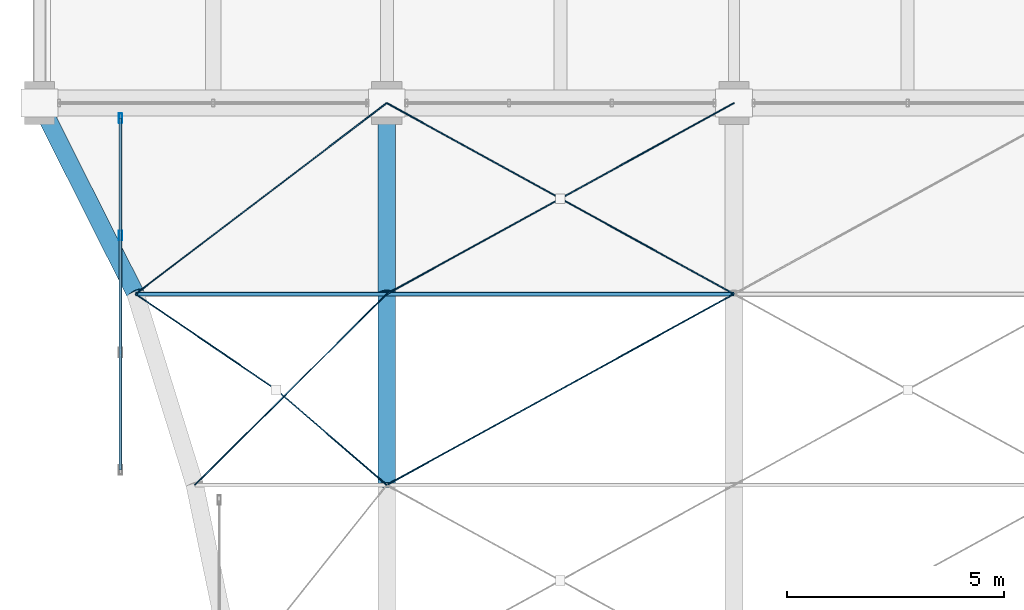
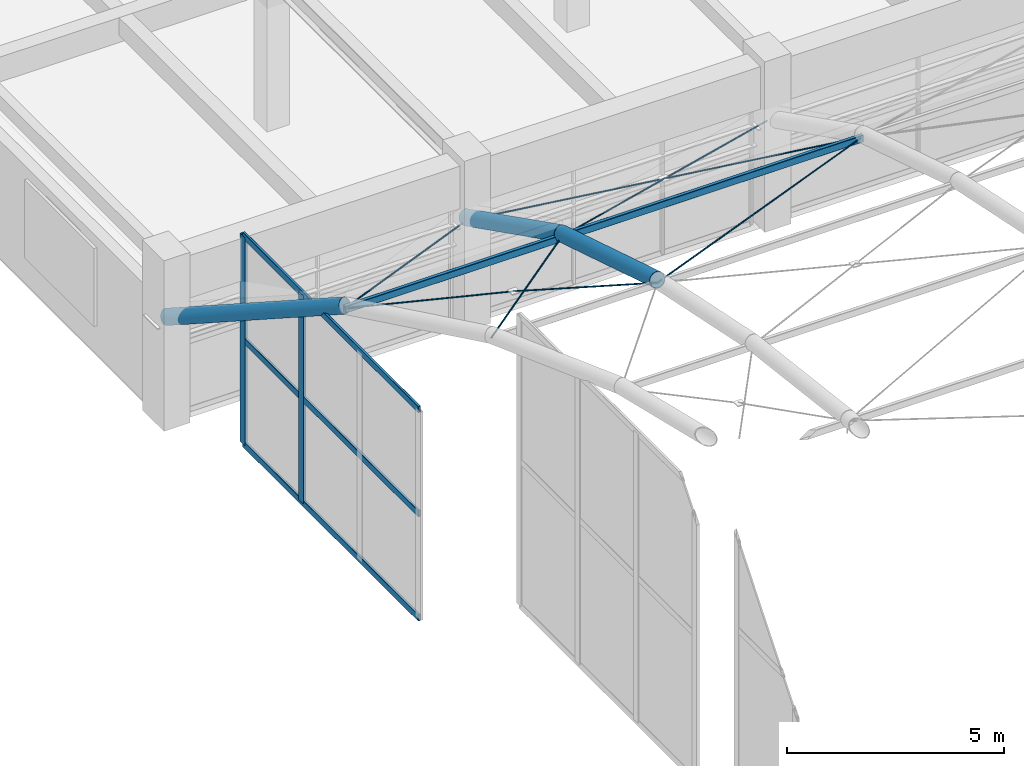
# One storey, part 32 of 144: 13 members, 5 beams, 1 element without a shape of its own.
"""IFC4 building model written with IfcOpenShell, lengths in metres."""

from ifc_helpers import new_model, si_unit, direction, frame, origin, origin_2d, place, context, subcontext, project, spatial, hollow_rectangle, circle, hollow_circle, extrude, material, material_profile, profile_set, type_object, element, aggregate, save


model = new_model("IFC4")

# Units and contexts
model_context = context("Model", 3, precision=1e-05, world=origin(), true_north=direction((0.0, 1.0)))
body_context = subcontext(model_context, "Body", "Model", "MODEL_VIEW")
ifc_project = project(units=[si_unit("LENGTHUNIT", "METRE"), si_unit("AREAUNIT", "SQUARE_METRE"), si_unit("VOLUMEUNIT", "CUBIC_METRE"), si_unit("PLANEANGLEUNIT", "RADIAN"), si_unit("MASSUNIT", "GRAM", prefix="KILO")], contexts=[model_context])

# Site, building, storey
site_placement = place(None, origin())
site = spatial("IfcSite", under=ifc_project, at=site_placement, CompositionType="ELEMENT")
building_placement = place(site_placement, origin())
building = spatial("IfcBuilding", under=site, at=building_placement, Name="Varnabhumi Central Station", CompositionType="ELEMENT")
storey_placement = place(building_placement, frame((0.0, 0.0, 4.800048828125)))
storey = spatial("IfcBuildingStorey", under=building, at=storey_placement, Name="L01", CompositionType="ELEMENT", Elevation=4.800048828125)

# Beams
ifc_material_1 = material(Name="Structural steel E350", Category="steel")
ifc_material_profile_1 = material_profile(ifc_material_1, hollow_circle(Radius=0.203125, WallThickness=0.01611328125, at=origin_2d()), Name="Structural steel E350", Category="steel")
ifc_profile_set_1 = profile_set([ifc_material_profile_1], Name="Structural steel E350")
beam_type_1 = type_object("IfcBeamType", Name="BM-ARCH-CHS406", PredefinedType="BEAM", material=ifc_profile_set_1)
beam_1_placement = place(storey_placement, frame((2.2138671875, 75.60009765625, 5.013916015625), z_axis=(-0.409964463839, 0.814774985366, -0.409964463839), x_axis=(-0.893294210393, -0.449472417037, 0.0)))
element("IfcBeam", 1, at=beam_1_placement, inside=storey, type_object=beam_type_1, Name="Forecourt Arrival Canopy Vault Arch Rib 1 Seg 10", PredefinedType="BEAM", context=body_context, shape_type="SweptSolid", body=[
    extrude(hollow_circle(Radius=0.203125, WallThickness=0.01611328125, at=origin_2d()), origin(), (0.0, 0.0, 1.0), 5.400146484375),
])
beam_2_placement = place(storey_placement, frame((8.0, 71.199951171875, 6.377197265625), z_axis=(0.0, 0.95520423062, -0.295947424057), x_axis=(-1.0, 0.0, 0.0)))
element("IfcBeam", 2, at=beam_2_placement, inside=storey, type_object=beam_type_1, Name="Forecourt Arrival Canopy Vault Arch Rib 2 Seg 9", PredefinedType="BEAM", context=body_context, shape_type="SweptSolid", body=[
    extrude(hollow_circle(Radius=0.203125, WallThickness=0.01611328125, at=origin_2d()), origin(), (0.0, 0.0, 1.0), 4.6064453125),
])
beam_3_placement = place(storey_placement, frame((8.0, 75.60009765625, 5.013916015625), z_axis=(0.0, 0.893294210393, -0.449472417037), x_axis=(-1.0, 0.0, 0.0)))
element("IfcBeam", 3, at=beam_3_placement, inside=storey, type_object=beam_type_1, Name="Forecourt Arrival Canopy Vault Arch Rib 2 Seg 10", PredefinedType="BEAM", context=body_context, shape_type="SweptSolid", body=[
    extrude(hollow_circle(Radius=0.203125, WallThickness=0.01611328125, at=origin_2d()), origin(), (0.0, 0.0, 1.0), 4.925537109375),
])
ifc_material_profile_2 = material_profile(ifc_material_1, hollow_rectangle(XDim=0.10009765625, YDim=0.199951171875, WallThickness=0.008056640625, InnerFilletRadius=0.008056640625, OuterFilletRadius=0.01611328125, at=origin_2d()), Name="Structural steel E350", Category="steel")
ifc_profile_set_2 = profile_set([ifc_material_profile_2], Name="Structural steel E350")
beam_type_2 = type_object("IfcBeamType", Name="BM-PUR-RHS200", PredefinedType="JOIST", material=ifc_profile_set_2)
beam_4_placement = place(storey_placement, frame((2.2138671875, 75.60009765625, 4.913818359375), z_axis=(1.0, 0.0, 0.0), x_axis=(0.0, 1.0, 0.0)))
element("IfcBeam", 4, at=beam_4_placement, inside=storey, type_object=beam_type_2, Name="Forecourt Arrival Canopy Vault Purlin B1-L9", PredefinedType="JOIST", context=body_context, shape_type="SweptSolid", body=[
    extrude(hollow_rectangle(XDim=0.10009765625, YDim=0.199951171875, WallThickness=0.008056640625, InnerFilletRadius=0.008056640625, OuterFilletRadius=0.01611328125, at=origin_2d()), origin(), (0.0, 0.0, 1.0), 5.7861328125),
])
beam_5_placement = place(storey_placement, frame((8.0, 75.60009765625, 4.913818359375), z_axis=(1.0, 0.0, 0.0), x_axis=(0.0, 1.0, 0.0)))
element("IfcBeam", 5, at=beam_5_placement, inside=storey, type_object=beam_type_2, Name="Forecourt Arrival Canopy Vault Purlin B2-L9", PredefinedType="JOIST", context=body_context, shape_type="SweptSolid", body=[
    extrude(hollow_rectangle(XDim=0.10009765625, YDim=0.199951171875, WallThickness=0.008056640625, InnerFilletRadius=0.008056640625, OuterFilletRadius=0.01611328125, at=origin_2d()), origin(), (0.0, 0.0, 1.0), 8.0),
])

# Curtain wall, members
ifc_material_2 = material(Name="Anodised aluminium 6063-T6", Category="aluminium")
curtain_wall_type = type_object("IfcCurtainWallType", Name="CW-VAULT-ARCH-V1", PredefinedType="NOTDEFINED", material=ifc_material_2)
curtain_wall_placement = place(storey_placement, origin())
curtain_wall = element("IfcCurtainWall", 6, at=curtain_wall_placement, inside=storey, type_object=curtain_wall_type, Name="Curtain Wall CW-V15", PredefinedType="NOTDEFINED")
ifc_material_profile_3 = material_profile(ifc_material_2, hollow_rectangle(XDim=0.074951171875, YDim=0.219970703125, WallThickness=0.0048828125, InnerFilletRadius=0.0009765625, OuterFilletRadius=0.006103515625, at=origin_2d()), Name="Anodised aluminium 6063-T6", Category="aluminium")
ifc_profile_set_3 = profile_set([ifc_material_profile_3], Name="Anodised aluminium 6063-T6")
member_type_1 = type_object("IfcMemberType", Name="CW-MUL-220", PredefinedType="MULLION", material=ifc_profile_set_3)
member_1_placement = place(storey_placement, frame((1.864013671875, 76.949951171875, -1.199951171875), z_axis=(0.0, 0.0, 1.0), x_axis=(1.0, 0.0, 0.0)))
member_1 = element("IfcMember", 7, at=member_1_placement, type_object=member_type_1, Name="Curtain Wall Mullion CW-V15-M3", PredefinedType="MULLION", context=body_context, shape_type="SweptSolid", body=[
    extrude(hollow_rectangle(XDim=0.074951171875, YDim=0.219970703125, WallThickness=0.0048828125, InnerFilletRadius=0.0009765625, OuterFilletRadius=0.006103515625, at=origin_2d()), origin(), (0.0, 0.0, 1.0), 5.86376953125),
])
member_2_placement = place(storey_placement, frame((1.864013671875, 79.64990234375, -1.199951171875), z_axis=(0.0, 0.0, 1.0), x_axis=(1.0, 0.0, 0.0)))
member_2 = element("IfcMember", 8, at=member_2_placement, type_object=member_type_1, Name="Curtain Wall Mullion CW-V15-M4", PredefinedType="MULLION", context=body_context, shape_type="SweptSolid", body=[
    extrude(hollow_rectangle(XDim=0.074951171875, YDim=0.219970703125, WallThickness=0.0048828125, InnerFilletRadius=0.0009765625, OuterFilletRadius=0.006103515625, at=origin_2d()), origin(), (0.0, 0.0, 1.0), 5.86376953125),
])
ifc_material_profile_4 = material_profile(ifc_material_2, hollow_rectangle(XDim=0.06494140625, YDim=0.179931640625, WallThickness=0.00390625, InnerFilletRadius=0.001953125, OuterFilletRadius=0.006103515625, at=origin_2d()), Name="Anodised aluminium 6063-T6", Category="aluminium")
ifc_profile_set_4 = profile_set([ifc_material_profile_4], Name="Anodised aluminium 6063-T6")
member_type_2 = type_object("IfcMemberType", Name="CW-TR-180", PredefinedType="USERDEFINED", material=ifc_profile_set_4)
member_3_placement = place(storey_placement, frame((1.864013671875, 71.550048828125, -1.199951171875), z_axis=(0.0, 1.0, 0.0), x_axis=(-1.0, 0.0, 0.0)))
member_3 = element("IfcMember", 9, at=member_3_placement, type_object=member_type_2, Name="Curtain Wall Transom CW-V15-T1", ObjectType="TRANSOM", PredefinedType="USERDEFINED", context=body_context, shape_type="SweptSolid", body=[
    extrude(hollow_rectangle(XDim=0.06494140625, YDim=0.179931640625, WallThickness=0.00390625, InnerFilletRadius=0.001953125, OuterFilletRadius=0.006103515625, at=origin_2d()), origin(), (0.0, 0.0, 1.0), 8.099853515625),
])
member_4_placement = place(storey_placement, frame((1.864013671875, 71.550048828125, 1.73193359375), z_axis=(0.0, 1.0, 0.0), x_axis=(-1.0, 0.0, 0.0)))
member_4 = element("IfcMember", 10, at=member_4_placement, type_object=member_type_2, Name="Curtain Wall Transom CW-V15-T2", ObjectType="TRANSOM", PredefinedType="USERDEFINED", context=body_context, shape_type="SweptSolid", body=[
    extrude(hollow_rectangle(XDim=0.06494140625, YDim=0.179931640625, WallThickness=0.00390625, InnerFilletRadius=0.001953125, OuterFilletRadius=0.006103515625, at=origin_2d()), origin(), (0.0, 0.0, 1.0), 8.099853515625),
])
member_5_placement = place(storey_placement, frame((1.864013671875, 71.550048828125, 4.663818359375), z_axis=(0.0, 1.0, 0.0), x_axis=(-1.0, 0.0, 0.0)))
member_5 = element("IfcMember", 11, at=member_5_placement, type_object=member_type_2, Name="Curtain Wall Transom CW-V15-T3", ObjectType="TRANSOM", PredefinedType="USERDEFINED", context=body_context, shape_type="SweptSolid", body=[
    extrude(hollow_rectangle(XDim=0.06494140625, YDim=0.179931640625, WallThickness=0.00390625, InnerFilletRadius=0.001953125, OuterFilletRadius=0.006103515625, at=origin_2d()), origin(), (0.0, 0.0, 1.0), 8.099853515625),
])
aggregate(curtain_wall, [member_1, member_2, member_3, member_4, member_5])

# Members
ifc_material_3 = material(Name="Spiral-strand steel S1570", Category="steel")
ifc_material_profile_5 = material_profile(ifc_material_3, circle(Radius=0.013916015625, at=origin_2d()), Name="Spiral-strand steel S1570", Category="steel")
ifc_profile_set_5 = profile_set([ifc_material_profile_5], Name="Spiral-strand steel S1570")
member_type_3 = type_object("IfcMemberType", Name="MBR-CABLE-D28", PredefinedType="USERDEFINED", material=ifc_profile_set_5)
member_6_placement = place(storey_placement, frame((3.577392578125, 71.199951171875, 6.29736328125), z_axis=(0.692556264445, 0.689039003815, -0.213520658953), x_axis=(-0.705304345535, 0.708904634044, 0.0)))
element("IfcMember", 12, at=member_6_placement, inside=storey, type_object=member_type_3, Name="Forecourt Arrival Canopy Vault Cable-Net Tie B1-P9A", ObjectType="TENSION CABLE", PredefinedType="USERDEFINED", context=body_context, shape_type="SweptSolid", body=[
    extrude(circle(Radius=0.013916015625, at=origin_2d()), origin(), (0.0, 0.0, 1.0), 6.385986328125),
])
member_7_placement = place(storey_placement, frame((2.2138671875, 75.60009765625, 4.933837890625), z_axis=(0.814513426484, -0.554159368827, 0.171683639344), x_axis=(0.562511463414, 0.826789485617, 0.0)))
element("IfcMember", 13, at=member_7_placement, inside=storey, type_object=member_type_3, Name="Forecourt Arrival Canopy Vault Cable-Net Split Tie B1-P9B1", ObjectType="TENSION CABLE", PredefinedType="USERDEFINED", context=body_context, shape_type="SweptSolid", body=[
    extrude(circle(Radius=0.013916015625, at=origin_2d()), origin(), (0.0, 0.0, 1.0), 3.97021484375),
])
member_8_placement = place(storey_placement, frame((5.44775390625, 73.39990234375, 5.615478515625), z_axis=(0.742399158187, -0.639923360859, 0.198347125389), x_axis=(0.652895188911, 0.757448263775, 0.0)))
element("IfcMember", 14, at=member_8_placement, inside=storey, type_object=member_type_3, Name="Forecourt Arrival Canopy Vault Cable-Net Split Tie B1-P9B2", ObjectType="TENSION CABLE", PredefinedType="USERDEFINED", context=body_context, shape_type="SweptSolid", body=[
    extrude(circle(Radius=0.013916015625, at=origin_2d()), origin(), (0.0, 0.0, 1.0), 3.437744140625),
])
member_9_placement = place(storey_placement, frame((2.2138671875, 75.60009765625, 4.933837890625), z_axis=(0.761467209105, 0.579036373101, -0.291349563383), x_axis=(-0.605296142156, 0.796000364504, 0.0)))
element("IfcMember", 15, at=member_9_placement, inside=storey, type_object=member_type_3, Name="Forecourt Arrival Canopy Vault Cable-Net Tie B1-P10A", ObjectType="TENSION CABLE", PredefinedType="USERDEFINED", context=body_context, shape_type="SweptSolid", body=[
    extrude(circle(Radius=0.013916015625, at=origin_2d()), origin(), (0.0, 0.0, 1.0), 7.5986328125),
])
member_10_placement = place(storey_placement, frame((8.0, 71.199951171875, 6.29736328125), z_axis=(0.866598577949, 0.476645085766, -0.147703645564), x_axis=(-0.481931067474, 0.876209133828, 0.0)))
element("IfcMember", 16, at=member_10_placement, inside=storey, type_object=member_type_3, Name="Forecourt Arrival Canopy Vault Cable-Net Tie B2-P9A", ObjectType="TENSION CABLE", PredefinedType="USERDEFINED", context=body_context, shape_type="SweptSolid", body=[
    extrude(circle(Radius=0.013916015625, at=origin_2d()), origin(), (0.0, 0.0, 1.0), 9.2314453125),
])
member_11_placement = place(storey_placement, frame((8.0, 75.60009765625, 4.933837890625), z_axis=(0.851544146337, 0.468338885659, -0.235650705535), x_axis=(-0.481910537812, 0.876220425204, 0.0)))
element("IfcMember", 17, at=member_11_placement, inside=storey, type_object=member_type_3, Name="Forecourt Arrival Canopy Vault Cable-Net Tie B2-P10A", ObjectType="TENSION CABLE", PredefinedType="USERDEFINED", context=body_context, shape_type="SweptSolid", body=[
    extrude(circle(Radius=0.013916015625, at=origin_2d()), origin(), (0.0, 0.0, 1.0), 9.394775390625),
])
for number, where, z_axis, x_axis, name in (
    (18, (8.0, 80.0, 2.719970703125), (0.851544146337, -0.468338885659, 0.235650705535), (0.481910537812, 0.876220425204, 0.0), "Forecourt Arrival Canopy Vault Cable-Net Split Tie B2-P10B1"),
    (19, (12.0, 77.800048828125, 3.826904296875), (0.851544146337, -0.468338885659, 0.235650705535), (0.481910537812, 0.876220425204, 0.0), "Forecourt Arrival Canopy Vault Cable-Net Split Tie B2-P10B2"),
):
    element("IfcMember", number, at=place(storey_placement, frame(where, z_axis=z_axis, x_axis=x_axis)), inside=storey, type_object=member_type_3, Name=name, ObjectType="TENSION CABLE", PredefinedType="USERDEFINED", context=body_context, shape_type="SweptSolid", body=[
        extrude(circle(Radius=0.013916015625, at=origin_2d()), origin(), (0.0, 0.0, 1.0), 4.697265625),
    ])

save(model, "model.ifc")
